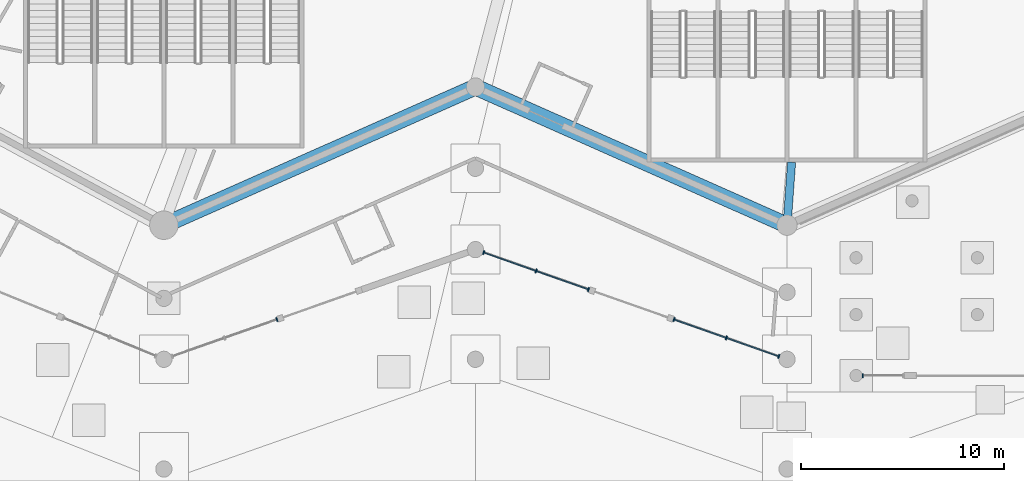
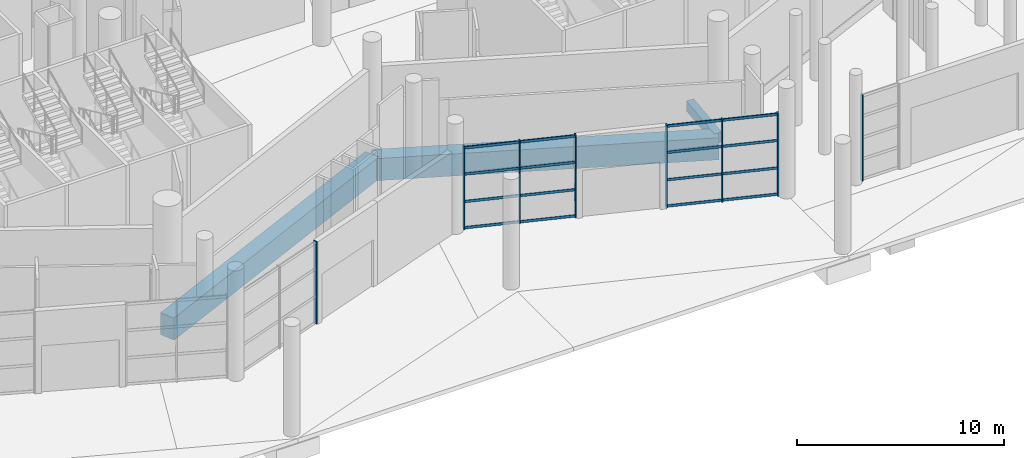
# One storey, part 21 of 255: 24 members, 3 beams, 4 elements without a shape of their own.
"""IFC4 building model written with IfcOpenShell, lengths in metres."""

from ifc_helpers import new_model, si_unit, direction, frame, origin, origin_2d, place, context, subcontext, project, spatial, rectangle, extrude, material, layer, layer_set, material_profile, profile_set, type_object, element, aggregate, save


model = new_model("IFC4")

# Units and contexts
model_context = context("Model", 3, precision=1e-05, world=origin(), true_north=direction((0.0, 1.0)))
body_context = subcontext(model_context, "Body", "Model", "MODEL_VIEW")
ifc_project = project(units=[si_unit("LENGTHUNIT", "METRE"), si_unit("AREAUNIT", "SQUARE_METRE"), si_unit("VOLUMEUNIT", "CUBIC_METRE"), si_unit("PLANEANGLEUNIT", "RADIAN"), si_unit("MASSUNIT", "GRAM", prefix="KILO")], contexts=[model_context])

# Site, building, storey
site_placement = place(None, origin())
site = spatial("IfcSite", under=ifc_project, at=site_placement, CompositionType="ELEMENT")
building_placement = place(site_placement, origin())
building = spatial("IfcBuilding", under=site, at=building_placement, Name="Meseta Stadium", CompositionType="ELEMENT")
storey_placement = place(building_placement, origin())
storey = spatial("IfcBuildingStorey", under=building, at=storey_placement, Name="L00", CompositionType="ELEMENT", Elevation=0.0)

# Beams
ifc_material_1 = material(Name="Concrete C40/50", Category="concrete")
ifc_material_profile_1 = material_profile(ifc_material_1, rectangle(XDim=0.39990234375, YDim=0.60009765625, at=origin_2d()), Name="RC 400x600")
ifc_profile_set_1 = profile_set([ifc_material_profile_1], Name="Concrete C40/50")
beam_type_1 = type_object("IfcBeamType", Name="RC beam 400x600", PredefinedType="BEAM", material=ifc_profile_set_1)
beam_placement = place(storey_placement, frame((-7.44189453125, -102.300048828125, -0.699951171875), z_axis=(-0.072346739974, -0.997379541205, 0.0), x_axis=(0.997379541205, -0.072346739974, 0.0)))
element("IfcBeam", 1, at=beam_placement, inside=storey, type_object=beam_type_1, Name="L00 radial beam frame 46 line P to R", PredefinedType="BEAM", context=body_context, shape_type="SweptSolid", body=[
    extrude(rectangle(XDim=0.39990234375, YDim=0.60009765625, at=origin_2d()), origin(), (0.0, 0.0, 1.0), 3.10791015625),
])
ifc_material_2 = material(Name="Concrete C40/50", Category="concrete")
ifc_material_profile_2 = material_profile(ifc_material_2, rectangle(XDim=0.800048828125, YDim=1.300048828125, at=origin_2d()), Name="RC 800x1300")
ifc_profile_set_2 = profile_set([ifc_material_profile_2], Name="Concrete C40/50")
beam_type_2 = type_object("IfcBeamType", Name="RC beam 800x1300", PredefinedType="BEAM", material=ifc_profile_set_2)
for number, where, z_axis, x_axis, name in (
    (2, (-38.333251953125, -105.39990234375, -1.050048828125), (0.914142564088, 0.405392861953, 0.0), (-0.405392861953, 0.914142564088, 0.0), "L00 ring beam frame 44 line R"),
    (3, (-23.0, -98.60009765625, -1.050048828125), (0.914142564088, -0.405392861953, 0.0), (0.405392861953, 0.914142564088, 0.0), "L00 ring beam frame 45 line R"),
):
    element("IfcBeam", number, at=place(storey_placement, frame(where, z_axis=z_axis, x_axis=x_axis)), inside=storey, type_object=beam_type_2, Name=name, PredefinedType="BEAM", context=body_context, shape_type="SweptSolid", body=[
        extrude(rectangle(XDim=0.800048828125, YDim=1.300048828125, at=origin_2d()), origin(), (0.0, 0.0, 1.0), 16.7734375),
    ])

# Curtain wall, member
ifc_material_3 = material(Name="Aluminium", Category="aluminium")
ifc_layer_1 = layer(ifc_material_3, 0.199951171875)
ifc_layer_set_1 = layer_set([ifc_layer_1], Name="Ring shopfront curtain wall")
curtain_wall_type_1 = type_object("IfcCurtainWallType", Name="Ring shopfront curtain wall", PredefinedType="NOTDEFINED", material=ifc_layer_set_1)
curtain_wall_1_placement = place(storey_placement, origin())
curtain_wall_1 = element("IfcCurtainWall", 4, at=curtain_wall_1_placement, inside=storey, type_object=curtain_wall_type_1, Name="Shopfront glazing F44a", PredefinedType="NOTDEFINED")
ifc_material_4 = material(Name="Aluminium", Category="aluminium")
ifc_material_profile_3 = material_profile(ifc_material_4, rectangle(XDim=0.199951171875, YDim=0.06005859375, at=origin_2d()), Name="CW 200x60")
ifc_profile_set_3 = profile_set([ifc_material_profile_3], Name="Aluminium")
member_type_1 = type_object("IfcMemberType", Name="Ring CW mullion 60x200", PredefinedType="MULLION", material=ifc_profile_set_3)
member_1_placement = place(storey_placement, frame((-32.77001953125, -110.040771484375, 0.0), z_axis=(0.0, 0.0, 1.0), x_axis=(-0.332170000181, 0.94321953488, 0.0)))
member_1 = element("IfcMember", 5, at=member_1_placement, type_object=member_type_1, Name="CWR1 mullion 3", PredefinedType="MULLION", context=body_context, shape_type="SweptSolid", body=[
    extrude(rectangle(XDim=0.199951171875, YDim=0.06005859375, at=origin_2d()), origin(), (0.0, 0.0, 1.0), 4.85009765625),
])
aggregate(curtain_wall_1, [member_1])

# Curtain wall, members
curtain_wall_2_placement = place(storey_placement, origin())
curtain_wall_2 = element("IfcCurtainWall", 6, at=curtain_wall_2_placement, inside=storey, type_object=curtain_wall_type_1, Name="Shopfront glazing F45a", PredefinedType="NOTDEFINED")
member_2_placement = place(storey_placement, frame((-22.594482421875, -106.742919921875, 0.0), z_axis=(0.0, 0.0, 1.0), x_axis=(0.332170000181, 0.94321953488, 0.0)))
member_2 = element("IfcMember", 7, at=member_2_placement, type_object=member_type_1, Name="CWR1 mullion 1", PredefinedType="MULLION", context=body_context, shape_type="SweptSolid", body=[
    extrude(rectangle(XDim=0.199951171875, YDim=0.06005859375, at=origin_2d()), origin(), (0.0, 0.0, 1.0), 4.85009765625),
])
member_3_placement = place(storey_placement, frame((-20.015625, -107.651123046875, 0.0), z_axis=(0.0, 0.0, 1.0), x_axis=(0.332170000181, 0.94321953488, 0.0)))
member_3 = element("IfcMember", 8, at=member_3_placement, type_object=member_type_1, Name="CWR1 mullion 2", PredefinedType="MULLION", context=body_context, shape_type="SweptSolid", body=[
    extrude(rectangle(XDim=0.199951171875, YDim=0.06005859375, at=origin_2d()), origin(), (0.0, 0.0, 1.0), 4.85009765625),
])
member_4_placement = place(storey_placement, frame((-17.436767578125, -108.559326171875, 0.0), z_axis=(0.0, 0.0, 1.0), x_axis=(0.332170000181, 0.94321953488, 0.0)))
member_4 = element("IfcMember", 9, at=member_4_placement, type_object=member_type_1, Name="CWR1 mullion 3", PredefinedType="MULLION", context=body_context, shape_type="SweptSolid", body=[
    extrude(rectangle(XDim=0.199951171875, YDim=0.06005859375, at=origin_2d()), origin(), (0.0, 0.0, 1.0), 4.85009765625),
])

curtain_wall_3_placement = place(storey_placement, origin())
curtain_wall_3 = element("IfcCurtainWall", 10, at=curtain_wall_3_placement, inside=storey, type_object=curtain_wall_type_1, Name="Shopfront glazing F45b", PredefinedType="NOTDEFINED")
member_5_placement = place(storey_placement, frame((-13.22998046875, -110.040771484375, 0.0), z_axis=(0.0, 0.0, 1.0), x_axis=(0.332170000181, 0.94321953488, 0.0)))
member_5 = element("IfcMember", 11, at=member_5_placement, type_object=member_type_1, Name="CWR1 mullion 1", PredefinedType="MULLION", context=body_context, shape_type="SweptSolid", body=[
    extrude(rectangle(XDim=0.199951171875, YDim=0.06005859375, at=origin_2d()), origin(), (0.0, 0.0, 1.0), 4.85009765625),
])
member_6_placement = place(storey_placement, frame((-10.651123046875, -110.948974609375, 0.0), z_axis=(0.0, 0.0, 1.0), x_axis=(0.332170000181, 0.94321953488, 0.0)))
member_6 = element("IfcMember", 12, at=member_6_placement, type_object=member_type_1, Name="CWR1 mullion 2", PredefinedType="MULLION", context=body_context, shape_type="SweptSolid", body=[
    extrude(rectangle(XDim=0.199951171875, YDim=0.06005859375, at=origin_2d()), origin(), (0.0, 0.0, 1.0), 4.85009765625),
])
member_7_placement = place(storey_placement, frame((-8.072265625, -111.857177734375, 0.0), z_axis=(0.0, 0.0, 1.0), x_axis=(0.332170000181, 0.94321953488, 0.0)))
member_7 = element("IfcMember", 13, at=member_7_placement, type_object=member_type_1, Name="CWR1 mullion 3", PredefinedType="MULLION", context=body_context, shape_type="SweptSolid", body=[
    extrude(rectangle(XDim=0.199951171875, YDim=0.06005859375, at=origin_2d()), origin(), (0.0, 0.0, 1.0), 4.85009765625),
])

# Curtain wall, member
ifc_material_5 = material(Name="Aluminium", Category="aluminium")
ifc_layer_2 = layer(ifc_material_5, 0.199951171875)
ifc_layer_set_2 = layer_set([ifc_layer_2], Name="Gate hall curtain wall")
curtain_wall_type_2 = type_object("IfcCurtainWallType", Name="Gate hall curtain wall", PredefinedType="NOTDEFINED", material=ifc_layer_set_2)
curtain_wall_4_placement = place(storey_placement, origin())
curtain_wall_4 = element("IfcCurtainWall", 14, at=curtain_wall_4_placement, inside=storey, type_object=curtain_wall_type_2, Name="Gate 7 glazing", PredefinedType="NOTDEFINED")
member_8_placement = place(storey_placement, frame((-3.936767578125, -112.800048828125, 0.0), z_axis=(0.0, 0.0, 1.0), x_axis=(0.0, 1.0, 0.0)))
member_8 = element("IfcMember", 15, at=member_8_placement, type_object=member_type_1, Name="CWG1 mullion 1", PredefinedType="MULLION", context=body_context, shape_type="SweptSolid", body=[
    extrude(rectangle(XDim=0.199951171875, YDim=0.06005859375, at=origin_2d()), origin(), (0.0, 0.0, 1.0), 5.050048828125),
])
aggregate(curtain_wall_4, [member_8])

# Member
ifc_material_6 = material(Name="Aluminium", Category="aluminium")
ifc_material_profile_4 = material_profile(ifc_material_6, rectangle(XDim=0.06005859375, YDim=0.14990234375, at=origin_2d()), Name="CW 60x150")
ifc_profile_set_4 = profile_set([ifc_material_profile_4], Name="Aluminium")
member_type_2 = type_object("IfcMemberType", Name="Ring CW transom 60x150", PredefinedType="USERDEFINED", material=ifc_profile_set_4)
member_9_placement = place(storey_placement, frame((-22.566162109375, -106.7529296875, 0.074951171875), z_axis=(0.943226073385, -0.332151433063, 0.0), x_axis=(0.332151433063, 0.943226073385, 0.0)))
member_9 = element("IfcMember", 16, at=member_9_placement, type_object=member_type_2, Name="CWR1 transom 1.1", ObjectType="TRANSOM", PredefinedType="USERDEFINED", context=body_context, shape_type="SweptSolid", body=[
    extrude(rectangle(XDim=0.06005859375, YDim=0.14990234375, at=origin_2d()), origin(), (0.0, 0.0, 1.0), 2.674072265625),
])

member_10_placement = place(storey_placement, frame((-22.566162109375, -106.7529296875, 1.61669921875), z_axis=(0.943226073385, -0.332151433063, 0.0), x_axis=(0.332151433063, 0.943226073385, 0.0)))
member_10 = element("IfcMember", 17, at=member_10_placement, type_object=member_type_2, Name="CWR1 transom 1.2", ObjectType="TRANSOM", PredefinedType="USERDEFINED", context=body_context, shape_type="SweptSolid", body=[
    extrude(rectangle(XDim=0.06005859375, YDim=0.14990234375, at=origin_2d()), origin(), (0.0, 0.0, 1.0), 2.674072265625),
])

member_11_placement = place(storey_placement, frame((-22.566162109375, -106.7529296875, 3.2333984375), z_axis=(0.943226073385, -0.332151433063, 0.0), x_axis=(0.332151433063, 0.943226073385, 0.0)))
member_11 = element("IfcMember", 18, at=member_11_placement, type_object=member_type_2, Name="CWR1 transom 1.3", ObjectType="TRANSOM", PredefinedType="USERDEFINED", context=body_context, shape_type="SweptSolid", body=[
    extrude(rectangle(XDim=0.06005859375, YDim=0.14990234375, at=origin_2d()), origin(), (0.0, 0.0, 1.0), 2.674072265625),
])

member_12_placement = place(storey_placement, frame((-22.566162109375, -106.7529296875, 4.77490234375), z_axis=(0.943226073385, -0.332151433063, 0.0), x_axis=(0.332151433063, 0.943226073385, 0.0)))
member_12 = element("IfcMember", 19, at=member_12_placement, type_object=member_type_2, Name="CWR1 transom 1.4", ObjectType="TRANSOM", PredefinedType="USERDEFINED", context=body_context, shape_type="SweptSolid", body=[
    extrude(rectangle(XDim=0.06005859375, YDim=0.14990234375, at=origin_2d()), origin(), (0.0, 0.0, 1.0), 2.674072265625),
])

member_13_placement = place(storey_placement, frame((-19.9873046875, -107.6611328125, 0.074951171875), z_axis=(0.943226073385, -0.332151433063, 0.0), x_axis=(0.332151433063, 0.943226073385, 0.0)))
member_13 = element("IfcMember", 20, at=member_13_placement, type_object=member_type_2, Name="CWR1 transom 2.1", ObjectType="TRANSOM", PredefinedType="USERDEFINED", context=body_context, shape_type="SweptSolid", body=[
    extrude(rectangle(XDim=0.06005859375, YDim=0.14990234375, at=origin_2d()), origin(), (0.0, 0.0, 1.0), 2.674072265625),
])

member_14_placement = place(storey_placement, frame((-19.9873046875, -107.6611328125, 1.61669921875), z_axis=(0.943226073385, -0.332151433063, 0.0), x_axis=(0.332151433063, 0.943226073385, 0.0)))
member_14 = element("IfcMember", 21, at=member_14_placement, type_object=member_type_2, Name="CWR1 transom 2.2", ObjectType="TRANSOM", PredefinedType="USERDEFINED", context=body_context, shape_type="SweptSolid", body=[
    extrude(rectangle(XDim=0.06005859375, YDim=0.14990234375, at=origin_2d()), origin(), (0.0, 0.0, 1.0), 2.674072265625),
])

member_15_placement = place(storey_placement, frame((-19.9873046875, -107.6611328125, 3.2333984375), z_axis=(0.943226073385, -0.332151433063, 0.0), x_axis=(0.332151433063, 0.943226073385, 0.0)))
member_15 = element("IfcMember", 22, at=member_15_placement, type_object=member_type_2, Name="CWR1 transom 2.3", ObjectType="TRANSOM", PredefinedType="USERDEFINED", context=body_context, shape_type="SweptSolid", body=[
    extrude(rectangle(XDim=0.06005859375, YDim=0.14990234375, at=origin_2d()), origin(), (0.0, 0.0, 1.0), 2.674072265625),
])

member_16_placement = place(storey_placement, frame((-19.9873046875, -107.6611328125, 4.77490234375), z_axis=(0.943226073385, -0.332151433063, 0.0), x_axis=(0.332151433063, 0.943226073385, 0.0)))
member_16 = element("IfcMember", 23, at=member_16_placement, type_object=member_type_2, Name="CWR1 transom 2.4", ObjectType="TRANSOM", PredefinedType="USERDEFINED", context=body_context, shape_type="SweptSolid", body=[
    extrude(rectangle(XDim=0.06005859375, YDim=0.14990234375, at=origin_2d()), origin(), (0.0, 0.0, 1.0), 2.674072265625),
])

aggregate(curtain_wall_2, [member_2, member_3, member_4, member_9, member_10, member_11, member_12, member_13, member_14, member_15, member_16])

member_17_placement = place(storey_placement, frame((-13.20166015625, -110.05078125, 0.074951171875), z_axis=(0.943226073385, -0.332151433063, 0.0), x_axis=(0.332151433063, 0.943226073385, 0.0)))
member_17 = element("IfcMember", 24, at=member_17_placement, type_object=member_type_2, Name="CWR1 transom 1.1", ObjectType="TRANSOM", PredefinedType="USERDEFINED", context=body_context, shape_type="SweptSolid", body=[
    extrude(rectangle(XDim=0.06005859375, YDim=0.14990234375, at=origin_2d()), origin(), (0.0, 0.0, 1.0), 2.674072265625),
])

member_18_placement = place(storey_placement, frame((-13.20166015625, -110.05078125, 1.61669921875), z_axis=(0.943226073385, -0.332151433063, 0.0), x_axis=(0.332151433063, 0.943226073385, 0.0)))
member_18 = element("IfcMember", 25, at=member_18_placement, type_object=member_type_2, Name="CWR1 transom 1.2", ObjectType="TRANSOM", PredefinedType="USERDEFINED", context=body_context, shape_type="SweptSolid", body=[
    extrude(rectangle(XDim=0.06005859375, YDim=0.14990234375, at=origin_2d()), origin(), (0.0, 0.0, 1.0), 2.674072265625),
])

member_19_placement = place(storey_placement, frame((-13.20166015625, -110.05078125, 3.2333984375), z_axis=(0.943226073385, -0.332151433063, 0.0), x_axis=(0.332151433063, 0.943226073385, 0.0)))
member_19 = element("IfcMember", 26, at=member_19_placement, type_object=member_type_2, Name="CWR1 transom 1.3", ObjectType="TRANSOM", PredefinedType="USERDEFINED", context=body_context, shape_type="SweptSolid", body=[
    extrude(rectangle(XDim=0.06005859375, YDim=0.14990234375, at=origin_2d()), origin(), (0.0, 0.0, 1.0), 2.674072265625),
])

member_20_placement = place(storey_placement, frame((-13.20166015625, -110.05078125, 4.77490234375), z_axis=(0.943226073385, -0.332151433063, 0.0), x_axis=(0.332151433063, 0.943226073385, 0.0)))
member_20 = element("IfcMember", 27, at=member_20_placement, type_object=member_type_2, Name="CWR1 transom 1.4", ObjectType="TRANSOM", PredefinedType="USERDEFINED", context=body_context, shape_type="SweptSolid", body=[
    extrude(rectangle(XDim=0.06005859375, YDim=0.14990234375, at=origin_2d()), origin(), (0.0, 0.0, 1.0), 2.674072265625),
])

member_21_placement = place(storey_placement, frame((-10.622802734375, -110.958984375, 0.074951171875), z_axis=(0.943226073385, -0.332151433063, 0.0), x_axis=(0.332151433063, 0.943226073385, 0.0)))
member_21 = element("IfcMember", 28, at=member_21_placement, type_object=member_type_2, Name="CWR1 transom 2.1", ObjectType="TRANSOM", PredefinedType="USERDEFINED", context=body_context, shape_type="SweptSolid", body=[
    extrude(rectangle(XDim=0.06005859375, YDim=0.14990234375, at=origin_2d()), origin(), (0.0, 0.0, 1.0), 2.674072265625),
])

member_22_placement = place(storey_placement, frame((-10.622802734375, -110.958984375, 1.61669921875), z_axis=(0.943226073385, -0.332151433063, 0.0), x_axis=(0.332151433063, 0.943226073385, 0.0)))
member_22 = element("IfcMember", 29, at=member_22_placement, type_object=member_type_2, Name="CWR1 transom 2.2", ObjectType="TRANSOM", PredefinedType="USERDEFINED", context=body_context, shape_type="SweptSolid", body=[
    extrude(rectangle(XDim=0.06005859375, YDim=0.14990234375, at=origin_2d()), origin(), (0.0, 0.0, 1.0), 2.674072265625),
])

member_23_placement = place(storey_placement, frame((-10.622802734375, -110.958984375, 3.2333984375), z_axis=(0.943226073385, -0.332151433063, 0.0), x_axis=(0.332151433063, 0.943226073385, 0.0)))
member_23 = element("IfcMember", 30, at=member_23_placement, type_object=member_type_2, Name="CWR1 transom 2.3", ObjectType="TRANSOM", PredefinedType="USERDEFINED", context=body_context, shape_type="SweptSolid", body=[
    extrude(rectangle(XDim=0.06005859375, YDim=0.14990234375, at=origin_2d()), origin(), (0.0, 0.0, 1.0), 2.674072265625),
])

member_24_placement = place(storey_placement, frame((-10.622802734375, -110.958984375, 4.77490234375), z_axis=(0.943226073385, -0.332151433063, 0.0), x_axis=(0.332151433063, 0.943226073385, 0.0)))
member_24 = element("IfcMember", 31, at=member_24_placement, type_object=member_type_2, Name="CWR1 transom 2.4", ObjectType="TRANSOM", PredefinedType="USERDEFINED", context=body_context, shape_type="SweptSolid", body=[
    extrude(rectangle(XDim=0.06005859375, YDim=0.14990234375, at=origin_2d()), origin(), (0.0, 0.0, 1.0), 2.674072265625),
])

aggregate(curtain_wall_3, [member_5, member_6, member_7, member_17, member_18, member_19, member_20, member_21, member_22, member_23, member_24])

save(model, "model.ifc")
